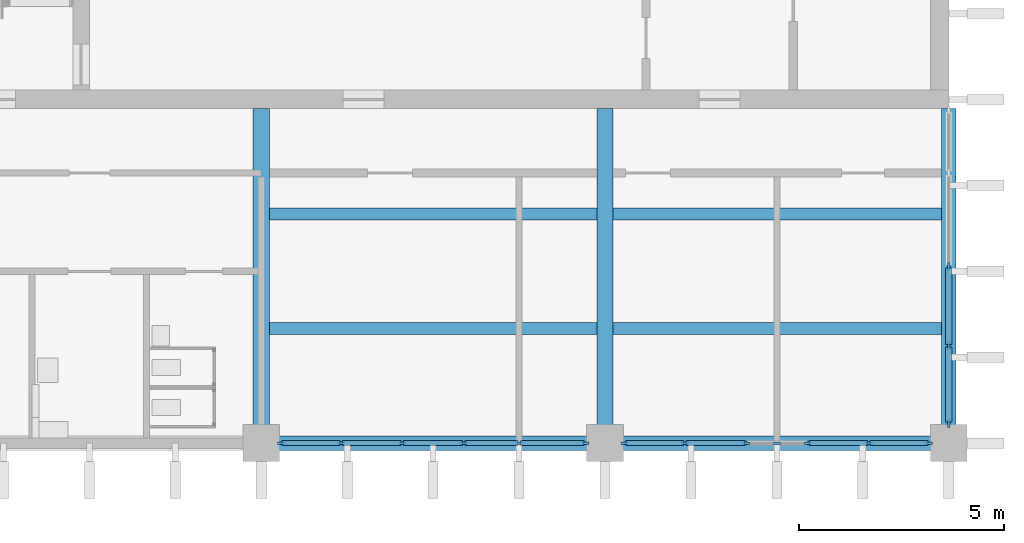
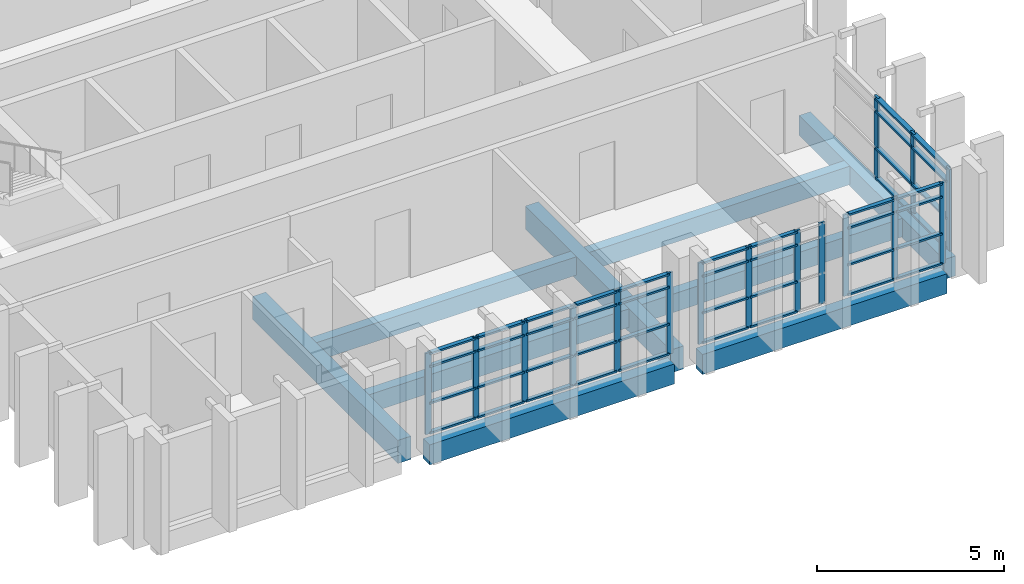
# One storey, part 2 of 11: 60 members, 9 beams, 3 elements without a shape of their own.
"""IFC4 building model written with IfcOpenShell, lengths in metres."""

from ifc_helpers import new_model, si_unit, direction, frame, origin, origin_2d, place, context, subcontext, project, spatial, rectangle, extrude, material, layer, layer_set, material_profile, profile_set, type_object, element, aggregate, save


model = new_model("IFC4")

# Units and contexts
model_context = context("Model", 3, precision=1e-05, world=origin(), true_north=direction((0.0, 1.0)))
body_context = subcontext(model_context, "Body", "Model", "MODEL_VIEW")
ifc_project = project(units=[si_unit("LENGTHUNIT", "METRE"), si_unit("AREAUNIT", "SQUARE_METRE"), si_unit("VOLUMEUNIT", "CUBIC_METRE"), si_unit("PLANEANGLEUNIT", "RADIAN"), si_unit("MASSUNIT", "GRAM", prefix="KILO")], contexts=[model_context])

# Site, building, storey
site_placement = place(None, origin())
site = spatial("IfcSite", under=ifc_project, at=site_placement, CompositionType="ELEMENT")
building_placement = place(site_placement, origin())
building = spatial("IfcBuilding", under=site, at=building_placement, Name="Rulbaag Community and Learning Centre", CompositionType="ELEMENT")
storey_placement = place(building_placement, frame((0.0, 0.0, 32.39990234375)))
storey = spatial("IfcBuildingStorey", under=building, at=storey_placement, Name="L08", CompositionType="ELEMENT", Elevation=32.39990234375)

# Beams
ifc_material_1 = material(Name="Concrete M40", Category="concrete")
ifc_material_profile_1 = material_profile(ifc_material_1, rectangle(XDim=0.35009765625, YDim=0.64990234375, at=origin_2d()), Name="RB350x650")
ifc_profile_set_1 = profile_set([ifc_material_profile_1], Name="Concrete M40")
beam_type_1 = type_object("IfcBeamType", Name="B14 Tower edge beam, upper zone 350x650 Concrete M40", PredefinedType="BEAM", material=ifc_profile_set_1)
for number, where, z_axis, x_axis, name in (
    (1, (151.6298828125, 84.0, -0.574951171875), (1.0, 0.0, 0.0), (0.0, 1.0, 0.0), "BM-L08-19K-20K"),
    (2, (160.030029296875, 84.0, -0.574951171875), (1.0, 0.0, 0.0), (0.0, 1.0, 0.0), "BM-L08-20K-21K"),
):
    element("IfcBeam", number, at=place(storey_placement, frame(where, z_axis=z_axis, x_axis=x_axis)), inside=storey, type_object=beam_type_1, Name=name, PredefinedType="BEAM", context=body_context, shape_type="SweptSolid", body=[
        extrude(rectangle(XDim=0.35009765625, YDim=0.64990234375, at=origin_2d()), origin(), (0.0, 0.0, 1.0), 7.5400390625),
    ])
beam_placement = place(storey_placement, frame((168.0, 84.429931640625, -0.574951171875), z_axis=(0.0, 1.0, 0.0), x_axis=(-1.0, 0.0, 0.0)))
element("IfcBeam", 3, at=beam_placement, inside=storey, type_object=beam_type_1, Name="BM-L08-21K-21L", PredefinedType="BEAM", context=body_context, shape_type="SweptSolid", body=[
    extrude(rectangle(XDim=0.35009765625, YDim=0.64990234375, at=origin_2d()), origin(), (0.0, 0.0, 1.0), 7.7451171875),
])
ifc_material_profile_2 = material_profile(ifc_material_1, rectangle(XDim=0.39990234375, YDim=0.75, at=origin_2d()), Name="RB400x750")
ifc_profile_set_2 = profile_set([ifc_material_profile_2], Name="Concrete M40")
beam_type_2 = type_object("IfcBeamType", Name="B15 Tower frame beam, middle zone 400x750 Concrete M40", PredefinedType="BEAM", material=ifc_profile_set_2)
for number, where, z_axis, x_axis, name in (
    (4, (151.199951171875, 84.429931640625, -0.625), (0.0, 1.0, 0.0), (-1.0, 0.0, 0.0), "BM-L08-19K-19L"),
    (5, (159.60009765625, 84.429931640625, -0.625), (0.0, 1.0, 0.0), (-1.0, 0.0, 0.0), "BM-L08-20K-20L"),
):
    element("IfcBeam", number, at=place(storey_placement, frame(where, z_axis=z_axis, x_axis=x_axis)), inside=storey, type_object=beam_type_2, Name=name, PredefinedType="BEAM", context=body_context, shape_type="SweptSolid", body=[
        extrude(rectangle(XDim=0.39990234375, YDim=0.75, at=origin_2d()), origin(), (0.0, 0.0, 1.0), 7.7451171875),
    ])
ifc_material_profile_3 = material_profile(ifc_material_1, rectangle(XDim=0.300048828125, YDim=0.60009765625, at=origin_2d()), Name="RB300x600")
ifc_profile_set_3 = profile_set([ifc_material_profile_3], Name="Concrete M40")
beam_type_3 = type_object("IfcBeamType", Name="B30 Secondary joist 300x600 Concrete M40", PredefinedType="BEAM", material=ifc_profile_set_3)
for number, where, z_axis, x_axis, name in (
    (6, (151.39990234375, 86.800048828125, -0.5498046875), (1.0, 0.0, 0.0), (0.0, 1.0, 0.0), "BM-JS-L08-19K-1"),
    (7, (151.39990234375, 89.60009765625, -0.5498046875), (1.0, 0.0, 0.0), (0.0, 1.0, 0.0), "BM-JS-L08-19K-2"),
):
    element("IfcBeam", number, at=place(storey_placement, frame(where, z_axis=z_axis, x_axis=x_axis)), inside=storey, type_object=beam_type_3, Name=name, PredefinedType="BEAM", context=body_context, shape_type="SweptSolid", body=[
        extrude(rectangle(XDim=0.300048828125, YDim=0.60009765625, at=origin_2d()), origin(), (0.0, 0.0, 1.0), 8.0),
    ])
for number, where, z_axis, x_axis, name in (
    (8, (159.800048828125, 86.800048828125, -0.5498046875), (1.0, 0.0, 0.0), (0.0, 1.0, 0.0), "BM-JS-L08-20K-1"),
    (9, (159.800048828125, 89.60009765625, -0.5498046875), (1.0, 0.0, 0.0), (0.0, 1.0, 0.0), "BM-JS-L08-20K-2"),
):
    element("IfcBeam", number, at=place(storey_placement, frame(where, z_axis=z_axis, x_axis=x_axis)), inside=storey, type_object=beam_type_3, Name=name, PredefinedType="BEAM", context=body_context, shape_type="SweptSolid", body=[
        extrude(rectangle(XDim=0.300048828125, YDim=0.60009765625, at=origin_2d()), origin(), (0.0, 0.0, 1.0), 8.02490234375),
    ])

# Curtain wall, members
ifc_material_2 = material(Name="Aluminium", Category="aluminium")
ifc_layer_1 = layer(ifc_material_2, 0.14990234375)
ifc_layer_set_1 = layer_set([ifc_layer_1], Name="CW-S")
curtain_wall_type_1 = type_object("IfcCurtainWallType", Name="CW-S", PredefinedType="USERDEFINED", material=ifc_layer_set_1)
curtain_wall_1_placement = place(storey_placement, origin())
curtain_wall_1 = element("IfcCurtainWall", 10, at=curtain_wall_1_placement, inside=storey, type_object=curtain_wall_type_1, Name="GS-L08-01", ObjectType="UNITISED CURTAIN WALL", PredefinedType="USERDEFINED")
ifc_material_3 = material(Name="Aluminium mullion", Category="aluminium")
ifc_material_profile_4 = material_profile(ifc_material_3, rectangle(XDim=0.06005859375, YDim=0.175048828125, at=origin_2d()), Name="AL 60x175")
ifc_profile_set_4 = profile_set([ifc_material_profile_4], Name="Aluminium mullion")
member_type_1 = type_object("IfcMemberType", Name="CW-S-MUL", PredefinedType="MULLION", material=ifc_profile_set_4)
member_1_placement = place(storey_placement, frame((151.679931640625, 84.0, 0.0), z_axis=(0.0, 0.0, 1.0), x_axis=(0.0, 1.0, 0.0)))
member_1 = element("IfcMember", 11, at=member_1_placement, type_object=member_type_1, Name="GS mullion 1", PredefinedType="MULLION", context=body_context, shape_type="SweptSolid", body=[
    extrude(rectangle(XDim=0.06005859375, YDim=0.175048828125, at=origin_2d()), origin(), (0.0, 0.0, 1.0), 2.650146484375),
])
member_2_placement = place(storey_placement, frame((153.14990234375, 84.0, 0.0), z_axis=(0.0, 0.0, 1.0), x_axis=(0.0, 1.0, 0.0)))
member_2 = element("IfcMember", 12, at=member_2_placement, type_object=member_type_1, Name="GS mullion 2", PredefinedType="MULLION", context=body_context, shape_type="SweptSolid", body=[
    extrude(rectangle(XDim=0.06005859375, YDim=0.175048828125, at=origin_2d()), origin(), (0.0, 0.0, 1.0), 2.650146484375),
])
member_3_placement = place(storey_placement, frame((154.64990234375, 84.0, 0.0), z_axis=(0.0, 0.0, 1.0), x_axis=(0.0, 1.0, 0.0)))
member_3 = element("IfcMember", 13, at=member_3_placement, type_object=member_type_1, Name="GS mullion 3", PredefinedType="MULLION", context=body_context, shape_type="SweptSolid", body=[
    extrude(rectangle(XDim=0.06005859375, YDim=0.175048828125, at=origin_2d()), origin(), (0.0, 0.0, 1.0), 2.650146484375),
])
member_4_placement = place(storey_placement, frame((156.14990234375, 84.0, 0.0), z_axis=(0.0, 0.0, 1.0), x_axis=(0.0, 1.0, 0.0)))
member_4 = element("IfcMember", 14, at=member_4_placement, type_object=member_type_1, Name="GS mullion 4", PredefinedType="MULLION", context=body_context, shape_type="SweptSolid", body=[
    extrude(rectangle(XDim=0.06005859375, YDim=0.175048828125, at=origin_2d()), origin(), (0.0, 0.0, 1.0), 2.650146484375),
])
member_5_placement = place(storey_placement, frame((157.5, 84.0, 0.0), z_axis=(0.0, 0.0, 1.0), x_axis=(0.0, 1.0, 0.0)))
member_5 = element("IfcMember", 15, at=member_5_placement, type_object=member_type_1, Name="GS mullion 5", PredefinedType="MULLION", context=body_context, shape_type="SweptSolid", body=[
    extrude(rectangle(XDim=0.06005859375, YDim=0.175048828125, at=origin_2d()), origin(), (0.0, 0.0, 1.0), 2.650146484375),
])
member_6_placement = place(storey_placement, frame((159.1201171875, 84.0, 0.0), z_axis=(0.0, 0.0, 1.0), x_axis=(0.0, 1.0, 0.0)))
member_6 = element("IfcMember", 16, at=member_6_placement, type_object=member_type_1, Name="GS mullion 6", PredefinedType="MULLION", context=body_context, shape_type="SweptSolid", body=[
    extrude(rectangle(XDim=0.06005859375, YDim=0.175048828125, at=origin_2d()), origin(), (0.0, 0.0, 1.0), 2.650146484375),
])

curtain_wall_2_placement = place(storey_placement, origin())
curtain_wall_2 = element("IfcCurtainWall", 17, at=curtain_wall_2_placement, inside=storey, type_object=curtain_wall_type_1, Name="GS-L08-02", ObjectType="UNITISED CURTAIN WALL", PredefinedType="USERDEFINED")
member_7_placement = place(storey_placement, frame((160.080078125, 84.0, 0.0), z_axis=(0.0, 0.0, 1.0), x_axis=(0.0, 1.0, 0.0)))
member_7 = element("IfcMember", 18, at=member_7_placement, type_object=member_type_1, Name="GS mullion 1", PredefinedType="MULLION", context=body_context, shape_type="SweptSolid", body=[
    extrude(rectangle(XDim=0.06005859375, YDim=0.175048828125, at=origin_2d()), origin(), (0.0, 0.0, 1.0), 2.650146484375),
])
member_8_placement = place(storey_placement, frame((161.550048828125, 84.0, 0.0), z_axis=(0.0, 0.0, 1.0), x_axis=(0.0, 1.0, 0.0)))
member_8 = element("IfcMember", 19, at=member_8_placement, type_object=member_type_1, Name="GS mullion 2", PredefinedType="MULLION", context=body_context, shape_type="SweptSolid", body=[
    extrude(rectangle(XDim=0.06005859375, YDim=0.175048828125, at=origin_2d()), origin(), (0.0, 0.0, 1.0), 2.650146484375),
])
member_9_placement = place(storey_placement, frame((163.050048828125, 84.0, 0.0), z_axis=(0.0, 0.0, 1.0), x_axis=(0.0, 1.0, 0.0)))
member_9 = element("IfcMember", 20, at=member_9_placement, type_object=member_type_1, Name="GS mullion 3", PredefinedType="MULLION", context=body_context, shape_type="SweptSolid", body=[
    extrude(rectangle(XDim=0.06005859375, YDim=0.175048828125, at=origin_2d()), origin(), (0.0, 0.0, 1.0), 2.650146484375),
])
member_10_placement = place(storey_placement, frame((163.800048828125, 84.0, 0.0), z_axis=(0.0, 0.0, 1.0), x_axis=(0.0, 1.0, 0.0)))
member_10 = element("IfcMember", 21, at=member_10_placement, type_object=member_type_1, Name="GS mullion 4", PredefinedType="MULLION", context=body_context, shape_type="SweptSolid", body=[
    extrude(rectangle(XDim=0.06005859375, YDim=0.175048828125, at=origin_2d()), origin(), (0.0, 0.0, 1.0), 2.650146484375),
])
member_11_placement = place(storey_placement, frame((164.550048828125, 84.0, 0.0), z_axis=(0.0, 0.0, 1.0), x_axis=(0.0, 1.0, 0.0)))
member_11 = element("IfcMember", 22, at=member_11_placement, type_object=member_type_1, Name="GS mullion 5", PredefinedType="MULLION", context=body_context, shape_type="SweptSolid", body=[
    extrude(rectangle(XDim=0.06005859375, YDim=0.175048828125, at=origin_2d()), origin(), (0.0, 0.0, 1.0), 2.650146484375),
])
member_12_placement = place(storey_placement, frame((166.050048828125, 84.0, 0.0), z_axis=(0.0, 0.0, 1.0), x_axis=(0.0, 1.0, 0.0)))
member_12 = element("IfcMember", 23, at=member_12_placement, type_object=member_type_1, Name="GS mullion 6", PredefinedType="MULLION", context=body_context, shape_type="SweptSolid", body=[
    extrude(rectangle(XDim=0.06005859375, YDim=0.175048828125, at=origin_2d()), origin(), (0.0, 0.0, 1.0), 2.650146484375),
])
member_13_placement = place(storey_placement, frame((167.52001953125, 84.0, 0.0), z_axis=(0.0, 0.0, 1.0), x_axis=(0.0, 1.0, 0.0)))
member_13 = element("IfcMember", 24, at=member_13_placement, type_object=member_type_1, Name="GS mullion 7", PredefinedType="MULLION", context=body_context, shape_type="SweptSolid", body=[
    extrude(rectangle(XDim=0.06005859375, YDim=0.175048828125, at=origin_2d()), origin(), (0.0, 0.0, 1.0), 2.650146484375),
])

# Member
ifc_material_4 = material(Name="Aluminium transom", Category="aluminium")
ifc_material_profile_5 = material_profile(ifc_material_4, rectangle(XDim=0.125, YDim=0.06005859375, at=origin_2d()), Name="AL 60x125 T")
ifc_profile_set_5 = profile_set([ifc_material_profile_5], Name="Aluminium transom")
member_type_2 = type_object("IfcMemberType", Name="CW-S-TRN", PredefinedType="USERDEFINED", material=ifc_profile_set_5)
member_14_placement = place(storey_placement, frame((151.7099609375, 84.0, 0.030029296875), z_axis=(1.0, 0.0, 0.0), x_axis=(0.0, 1.0, 0.0)))
member_14 = element("IfcMember", 25, at=member_14_placement, type_object=member_type_2, Name="GS transom 1.1", ObjectType="TRANSOM", PredefinedType="USERDEFINED", context=body_context, shape_type="SweptSolid", body=[
    extrude(rectangle(XDim=0.125, YDim=0.06005859375, at=origin_2d()), origin(), (0.0, 0.0, 1.0), 1.41015625),
])

member_15_placement = place(storey_placement, frame((151.7099609375, 84.0, 1.0), z_axis=(1.0, 0.0, 0.0), x_axis=(0.0, 1.0, 0.0)))
member_15 = element("IfcMember", 26, at=member_15_placement, type_object=member_type_2, Name="GS transom 1.2", ObjectType="TRANSOM", PredefinedType="USERDEFINED", context=body_context, shape_type="SweptSolid", body=[
    extrude(rectangle(XDim=0.125, YDim=0.06005859375, at=origin_2d()), origin(), (0.0, 0.0, 1.0), 1.41015625),
])

member_16_placement = place(storey_placement, frame((151.7099609375, 84.0, 2.2001953125), z_axis=(1.0, 0.0, 0.0), x_axis=(0.0, 1.0, 0.0)))
member_16 = element("IfcMember", 27, at=member_16_placement, type_object=member_type_2, Name="GS transom 1.3", ObjectType="TRANSOM", PredefinedType="USERDEFINED", context=body_context, shape_type="SweptSolid", body=[
    extrude(rectangle(XDim=0.125, YDim=0.06005859375, at=origin_2d()), origin(), (0.0, 0.0, 1.0), 1.41015625),
])

member_17_placement = place(storey_placement, frame((151.7099609375, 84.0, 2.6201171875), z_axis=(1.0, 0.0, 0.0), x_axis=(0.0, 1.0, 0.0)))
member_17 = element("IfcMember", 28, at=member_17_placement, type_object=member_type_2, Name="GS transom 1.4", ObjectType="TRANSOM", PredefinedType="USERDEFINED", context=body_context, shape_type="SweptSolid", body=[
    extrude(rectangle(XDim=0.125, YDim=0.06005859375, at=origin_2d()), origin(), (0.0, 0.0, 1.0), 1.41015625),
])

member_18_placement = place(storey_placement, frame((153.179931640625, 84.0, 0.030029296875), z_axis=(1.0, 0.0, 0.0), x_axis=(0.0, 1.0, 0.0)))
member_18 = element("IfcMember", 29, at=member_18_placement, type_object=member_type_2, Name="GS transom 2.1", ObjectType="TRANSOM", PredefinedType="USERDEFINED", context=body_context, shape_type="SweptSolid", body=[
    extrude(rectangle(XDim=0.125, YDim=0.06005859375, at=origin_2d()), origin(), (0.0, 0.0, 1.0), 1.440185546875),
])

member_19_placement = place(storey_placement, frame((153.179931640625, 84.0, 1.0), z_axis=(1.0, 0.0, 0.0), x_axis=(0.0, 1.0, 0.0)))
member_19 = element("IfcMember", 30, at=member_19_placement, type_object=member_type_2, Name="GS transom 2.2", ObjectType="TRANSOM", PredefinedType="USERDEFINED", context=body_context, shape_type="SweptSolid", body=[
    extrude(rectangle(XDim=0.125, YDim=0.06005859375, at=origin_2d()), origin(), (0.0, 0.0, 1.0), 1.440185546875),
])

member_20_placement = place(storey_placement, frame((153.179931640625, 84.0, 2.2001953125), z_axis=(1.0, 0.0, 0.0), x_axis=(0.0, 1.0, 0.0)))
member_20 = element("IfcMember", 31, at=member_20_placement, type_object=member_type_2, Name="GS transom 2.3", ObjectType="TRANSOM", PredefinedType="USERDEFINED", context=body_context, shape_type="SweptSolid", body=[
    extrude(rectangle(XDim=0.125, YDim=0.06005859375, at=origin_2d()), origin(), (0.0, 0.0, 1.0), 1.440185546875),
])

member_21_placement = place(storey_placement, frame((153.179931640625, 84.0, 2.6201171875), z_axis=(1.0, 0.0, 0.0), x_axis=(0.0, 1.0, 0.0)))
member_21 = element("IfcMember", 32, at=member_21_placement, type_object=member_type_2, Name="GS transom 2.4", ObjectType="TRANSOM", PredefinedType="USERDEFINED", context=body_context, shape_type="SweptSolid", body=[
    extrude(rectangle(XDim=0.125, YDim=0.06005859375, at=origin_2d()), origin(), (0.0, 0.0, 1.0), 1.440185546875),
])

member_22_placement = place(storey_placement, frame((154.679931640625, 84.0, 0.030029296875), z_axis=(1.0, 0.0, 0.0), x_axis=(0.0, 1.0, 0.0)))
member_22 = element("IfcMember", 33, at=member_22_placement, type_object=member_type_2, Name="GS transom 3.1", ObjectType="TRANSOM", PredefinedType="USERDEFINED", context=body_context, shape_type="SweptSolid", body=[
    extrude(rectangle(XDim=0.125, YDim=0.06005859375, at=origin_2d()), origin(), (0.0, 0.0, 1.0), 1.440185546875),
])

member_23_placement = place(storey_placement, frame((154.679931640625, 84.0, 1.0), z_axis=(1.0, 0.0, 0.0), x_axis=(0.0, 1.0, 0.0)))
member_23 = element("IfcMember", 34, at=member_23_placement, type_object=member_type_2, Name="GS transom 3.2", ObjectType="TRANSOM", PredefinedType="USERDEFINED", context=body_context, shape_type="SweptSolid", body=[
    extrude(rectangle(XDim=0.125, YDim=0.06005859375, at=origin_2d()), origin(), (0.0, 0.0, 1.0), 1.440185546875),
])

member_24_placement = place(storey_placement, frame((154.679931640625, 84.0, 2.2001953125), z_axis=(1.0, 0.0, 0.0), x_axis=(0.0, 1.0, 0.0)))
member_24 = element("IfcMember", 35, at=member_24_placement, type_object=member_type_2, Name="GS transom 3.3", ObjectType="TRANSOM", PredefinedType="USERDEFINED", context=body_context, shape_type="SweptSolid", body=[
    extrude(rectangle(XDim=0.125, YDim=0.06005859375, at=origin_2d()), origin(), (0.0, 0.0, 1.0), 1.440185546875),
])

member_25_placement = place(storey_placement, frame((154.679931640625, 84.0, 2.6201171875), z_axis=(1.0, 0.0, 0.0), x_axis=(0.0, 1.0, 0.0)))
member_25 = element("IfcMember", 36, at=member_25_placement, type_object=member_type_2, Name="GS transom 3.4", ObjectType="TRANSOM", PredefinedType="USERDEFINED", context=body_context, shape_type="SweptSolid", body=[
    extrude(rectangle(XDim=0.125, YDim=0.06005859375, at=origin_2d()), origin(), (0.0, 0.0, 1.0), 1.440185546875),
])

member_26_placement = place(storey_placement, frame((156.179931640625, 84.0, 0.030029296875), z_axis=(1.0, 0.0, 0.0), x_axis=(0.0, 1.0, 0.0)))
member_26 = element("IfcMember", 37, at=member_26_placement, type_object=member_type_2, Name="GS transom 4.1", ObjectType="TRANSOM", PredefinedType="USERDEFINED", context=body_context, shape_type="SweptSolid", body=[
    extrude(rectangle(XDim=0.125, YDim=0.06005859375, at=origin_2d()), origin(), (0.0, 0.0, 1.0), 1.2900390625),
])

member_27_placement = place(storey_placement, frame((156.179931640625, 84.0, 1.0), z_axis=(1.0, 0.0, 0.0), x_axis=(0.0, 1.0, 0.0)))
member_27 = element("IfcMember", 38, at=member_27_placement, type_object=member_type_2, Name="GS transom 4.2", ObjectType="TRANSOM", PredefinedType="USERDEFINED", context=body_context, shape_type="SweptSolid", body=[
    extrude(rectangle(XDim=0.125, YDim=0.06005859375, at=origin_2d()), origin(), (0.0, 0.0, 1.0), 1.2900390625),
])

member_28_placement = place(storey_placement, frame((156.179931640625, 84.0, 2.2001953125), z_axis=(1.0, 0.0, 0.0), x_axis=(0.0, 1.0, 0.0)))
member_28 = element("IfcMember", 39, at=member_28_placement, type_object=member_type_2, Name="GS transom 4.3", ObjectType="TRANSOM", PredefinedType="USERDEFINED", context=body_context, shape_type="SweptSolid", body=[
    extrude(rectangle(XDim=0.125, YDim=0.06005859375, at=origin_2d()), origin(), (0.0, 0.0, 1.0), 1.2900390625),
])

member_29_placement = place(storey_placement, frame((156.179931640625, 84.0, 2.6201171875), z_axis=(1.0, 0.0, 0.0), x_axis=(0.0, 1.0, 0.0)))
member_29 = element("IfcMember", 40, at=member_29_placement, type_object=member_type_2, Name="GS transom 4.4", ObjectType="TRANSOM", PredefinedType="USERDEFINED", context=body_context, shape_type="SweptSolid", body=[
    extrude(rectangle(XDim=0.125, YDim=0.06005859375, at=origin_2d()), origin(), (0.0, 0.0, 1.0), 1.2900390625),
])

member_30_placement = place(storey_placement, frame((157.530029296875, 84.0, 0.030029296875), z_axis=(1.0, 0.0, 0.0), x_axis=(0.0, 1.0, 0.0)))
member_30 = element("IfcMember", 41, at=member_30_placement, type_object=member_type_2, Name="GS transom 5.1", ObjectType="TRANSOM", PredefinedType="USERDEFINED", context=body_context, shape_type="SweptSolid", body=[
    extrude(rectangle(XDim=0.125, YDim=0.06005859375, at=origin_2d()), origin(), (0.0, 0.0, 1.0), 1.56005859375),
])

member_31_placement = place(storey_placement, frame((157.530029296875, 84.0, 1.0), z_axis=(1.0, 0.0, 0.0), x_axis=(0.0, 1.0, 0.0)))
member_31 = element("IfcMember", 42, at=member_31_placement, type_object=member_type_2, Name="GS transom 5.2", ObjectType="TRANSOM", PredefinedType="USERDEFINED", context=body_context, shape_type="SweptSolid", body=[
    extrude(rectangle(XDim=0.125, YDim=0.06005859375, at=origin_2d()), origin(), (0.0, 0.0, 1.0), 1.56005859375),
])

member_32_placement = place(storey_placement, frame((157.530029296875, 84.0, 2.2001953125), z_axis=(1.0, 0.0, 0.0), x_axis=(0.0, 1.0, 0.0)))
member_32 = element("IfcMember", 43, at=member_32_placement, type_object=member_type_2, Name="GS transom 5.3", ObjectType="TRANSOM", PredefinedType="USERDEFINED", context=body_context, shape_type="SweptSolid", body=[
    extrude(rectangle(XDim=0.125, YDim=0.06005859375, at=origin_2d()), origin(), (0.0, 0.0, 1.0), 1.56005859375),
])

member_33_placement = place(storey_placement, frame((157.530029296875, 84.0, 2.6201171875), z_axis=(1.0, 0.0, 0.0), x_axis=(0.0, 1.0, 0.0)))
member_33 = element("IfcMember", 44, at=member_33_placement, type_object=member_type_2, Name="GS transom 5.4", ObjectType="TRANSOM", PredefinedType="USERDEFINED", context=body_context, shape_type="SweptSolid", body=[
    extrude(rectangle(XDim=0.125, YDim=0.06005859375, at=origin_2d()), origin(), (0.0, 0.0, 1.0), 1.56005859375),
])

aggregate(curtain_wall_1, [member_1, member_2, member_3, member_4, member_5, member_6, member_14, member_15, member_16, member_17, member_18, member_19, member_20, member_21, member_22, member_23, member_24, member_25, member_26, member_27, member_28, member_29, member_30, member_31, member_32, member_33])

member_34_placement = place(storey_placement, frame((160.110107421875, 84.0, 0.030029296875), z_axis=(1.0, 0.0, 0.0), x_axis=(0.0, 1.0, 0.0)))
member_34 = element("IfcMember", 45, at=member_34_placement, type_object=member_type_2, Name="GS transom 1.1", ObjectType="TRANSOM", PredefinedType="USERDEFINED", context=body_context, shape_type="SweptSolid", body=[
    extrude(rectangle(XDim=0.125, YDim=0.06005859375, at=origin_2d()), origin(), (0.0, 0.0, 1.0), 1.409912109375),
])

member_35_placement = place(storey_placement, frame((160.110107421875, 84.0, 1.0), z_axis=(1.0, 0.0, 0.0), x_axis=(0.0, 1.0, 0.0)))
member_35 = element("IfcMember", 46, at=member_35_placement, type_object=member_type_2, Name="GS transom 1.2", ObjectType="TRANSOM", PredefinedType="USERDEFINED", context=body_context, shape_type="SweptSolid", body=[
    extrude(rectangle(XDim=0.125, YDim=0.06005859375, at=origin_2d()), origin(), (0.0, 0.0, 1.0), 1.409912109375),
])

member_36_placement = place(storey_placement, frame((160.110107421875, 84.0, 2.2001953125), z_axis=(1.0, 0.0, 0.0), x_axis=(0.0, 1.0, 0.0)))
member_36 = element("IfcMember", 47, at=member_36_placement, type_object=member_type_2, Name="GS transom 1.3", ObjectType="TRANSOM", PredefinedType="USERDEFINED", context=body_context, shape_type="SweptSolid", body=[
    extrude(rectangle(XDim=0.125, YDim=0.06005859375, at=origin_2d()), origin(), (0.0, 0.0, 1.0), 1.409912109375),
])

member_37_placement = place(storey_placement, frame((160.110107421875, 84.0, 2.6201171875), z_axis=(1.0, 0.0, 0.0), x_axis=(0.0, 1.0, 0.0)))
member_37 = element("IfcMember", 48, at=member_37_placement, type_object=member_type_2, Name="GS transom 1.4", ObjectType="TRANSOM", PredefinedType="USERDEFINED", context=body_context, shape_type="SweptSolid", body=[
    extrude(rectangle(XDim=0.125, YDim=0.06005859375, at=origin_2d()), origin(), (0.0, 0.0, 1.0), 1.409912109375),
])

member_38_placement = place(storey_placement, frame((161.580078125, 84.0, 0.030029296875), z_axis=(1.0, 0.0, 0.0), x_axis=(0.0, 1.0, 0.0)))
member_38 = element("IfcMember", 49, at=member_38_placement, type_object=member_type_2, Name="GS transom 2.1", ObjectType="TRANSOM", PredefinedType="USERDEFINED", context=body_context, shape_type="SweptSolid", body=[
    extrude(rectangle(XDim=0.125, YDim=0.06005859375, at=origin_2d()), origin(), (0.0, 0.0, 1.0), 1.43994140625),
])

member_39_placement = place(storey_placement, frame((161.580078125, 84.0, 1.0), z_axis=(1.0, 0.0, 0.0), x_axis=(0.0, 1.0, 0.0)))
member_39 = element("IfcMember", 50, at=member_39_placement, type_object=member_type_2, Name="GS transom 2.2", ObjectType="TRANSOM", PredefinedType="USERDEFINED", context=body_context, shape_type="SweptSolid", body=[
    extrude(rectangle(XDim=0.125, YDim=0.06005859375, at=origin_2d()), origin(), (0.0, 0.0, 1.0), 1.43994140625),
])

member_40_placement = place(storey_placement, frame((161.580078125, 84.0, 2.2001953125), z_axis=(1.0, 0.0, 0.0), x_axis=(0.0, 1.0, 0.0)))
member_40 = element("IfcMember", 51, at=member_40_placement, type_object=member_type_2, Name="GS transom 2.3", ObjectType="TRANSOM", PredefinedType="USERDEFINED", context=body_context, shape_type="SweptSolid", body=[
    extrude(rectangle(XDim=0.125, YDim=0.06005859375, at=origin_2d()), origin(), (0.0, 0.0, 1.0), 1.43994140625),
])

member_41_placement = place(storey_placement, frame((161.580078125, 84.0, 2.6201171875), z_axis=(1.0, 0.0, 0.0), x_axis=(0.0, 1.0, 0.0)))
member_41 = element("IfcMember", 52, at=member_41_placement, type_object=member_type_2, Name="GS transom 2.4", ObjectType="TRANSOM", PredefinedType="USERDEFINED", context=body_context, shape_type="SweptSolid", body=[
    extrude(rectangle(XDim=0.125, YDim=0.06005859375, at=origin_2d()), origin(), (0.0, 0.0, 1.0), 1.43994140625),
])

member_42_placement = place(storey_placement, frame((164.580078125, 84.0, 0.030029296875), z_axis=(1.0, 0.0, 0.0), x_axis=(0.0, 1.0, 0.0)))
member_42 = element("IfcMember", 53, at=member_42_placement, type_object=member_type_2, Name="GS transom 5.1", ObjectType="TRANSOM", PredefinedType="USERDEFINED", context=body_context, shape_type="SweptSolid", body=[
    extrude(rectangle(XDim=0.125, YDim=0.06005859375, at=origin_2d()), origin(), (0.0, 0.0, 1.0), 1.43994140625),
])

member_43_placement = place(storey_placement, frame((164.580078125, 84.0, 1.0), z_axis=(1.0, 0.0, 0.0), x_axis=(0.0, 1.0, 0.0)))
member_43 = element("IfcMember", 54, at=member_43_placement, type_object=member_type_2, Name="GS transom 5.2", ObjectType="TRANSOM", PredefinedType="USERDEFINED", context=body_context, shape_type="SweptSolid", body=[
    extrude(rectangle(XDim=0.125, YDim=0.06005859375, at=origin_2d()), origin(), (0.0, 0.0, 1.0), 1.43994140625),
])

member_44_placement = place(storey_placement, frame((164.580078125, 84.0, 2.2001953125), z_axis=(1.0, 0.0, 0.0), x_axis=(0.0, 1.0, 0.0)))
member_44 = element("IfcMember", 55, at=member_44_placement, type_object=member_type_2, Name="GS transom 5.3", ObjectType="TRANSOM", PredefinedType="USERDEFINED", context=body_context, shape_type="SweptSolid", body=[
    extrude(rectangle(XDim=0.125, YDim=0.06005859375, at=origin_2d()), origin(), (0.0, 0.0, 1.0), 1.43994140625),
])

member_45_placement = place(storey_placement, frame((164.580078125, 84.0, 2.6201171875), z_axis=(1.0, 0.0, 0.0), x_axis=(0.0, 1.0, 0.0)))
member_45 = element("IfcMember", 56, at=member_45_placement, type_object=member_type_2, Name="GS transom 5.4", ObjectType="TRANSOM", PredefinedType="USERDEFINED", context=body_context, shape_type="SweptSolid", body=[
    extrude(rectangle(XDim=0.125, YDim=0.06005859375, at=origin_2d()), origin(), (0.0, 0.0, 1.0), 1.43994140625),
])

member_46_placement = place(storey_placement, frame((166.080078125, 84.0, 0.030029296875), z_axis=(1.0, 0.0, 0.0), x_axis=(0.0, 1.0, 0.0)))
member_46 = element("IfcMember", 57, at=member_46_placement, type_object=member_type_2, Name="GS transom 6.1", ObjectType="TRANSOM", PredefinedType="USERDEFINED", context=body_context, shape_type="SweptSolid", body=[
    extrude(rectangle(XDim=0.125, YDim=0.06005859375, at=origin_2d()), origin(), (0.0, 0.0, 1.0), 1.409912109375),
])

member_47_placement = place(storey_placement, frame((166.080078125, 84.0, 1.0), z_axis=(1.0, 0.0, 0.0), x_axis=(0.0, 1.0, 0.0)))
member_47 = element("IfcMember", 58, at=member_47_placement, type_object=member_type_2, Name="GS transom 6.2", ObjectType="TRANSOM", PredefinedType="USERDEFINED", context=body_context, shape_type="SweptSolid", body=[
    extrude(rectangle(XDim=0.125, YDim=0.06005859375, at=origin_2d()), origin(), (0.0, 0.0, 1.0), 1.409912109375),
])

member_48_placement = place(storey_placement, frame((166.080078125, 84.0, 2.2001953125), z_axis=(1.0, 0.0, 0.0), x_axis=(0.0, 1.0, 0.0)))
member_48 = element("IfcMember", 59, at=member_48_placement, type_object=member_type_2, Name="GS transom 6.3", ObjectType="TRANSOM", PredefinedType="USERDEFINED", context=body_context, shape_type="SweptSolid", body=[
    extrude(rectangle(XDim=0.125, YDim=0.06005859375, at=origin_2d()), origin(), (0.0, 0.0, 1.0), 1.409912109375),
])

member_49_placement = place(storey_placement, frame((166.080078125, 84.0, 2.6201171875), z_axis=(1.0, 0.0, 0.0), x_axis=(0.0, 1.0, 0.0)))
member_49 = element("IfcMember", 60, at=member_49_placement, type_object=member_type_2, Name="GS transom 6.4", ObjectType="TRANSOM", PredefinedType="USERDEFINED", context=body_context, shape_type="SweptSolid", body=[
    extrude(rectangle(XDim=0.125, YDim=0.06005859375, at=origin_2d()), origin(), (0.0, 0.0, 1.0), 1.409912109375),
])

aggregate(curtain_wall_2, [member_7, member_8, member_9, member_10, member_11, member_12, member_13, member_34, member_35, member_36, member_37, member_38, member_39, member_40, member_41, member_42, member_43, member_44, member_45, member_46, member_47, member_48, member_49])

# Curtain wall, members
ifc_layer_2 = layer(ifc_material_2, 0.14990234375)
ifc_layer_set_2 = layer_set([ifc_layer_2], Name="CW-T")
curtain_wall_type_2 = type_object("IfcCurtainWallType", Name="CW-T", PredefinedType="USERDEFINED", material=ifc_layer_set_2)
curtain_wall_3_placement = place(storey_placement, origin())
curtain_wall_3 = element("IfcCurtainWall", 61, at=curtain_wall_3_placement, inside=storey, type_object=curtain_wall_type_2, Name="GT-L08-05", ObjectType="UNITISED CURTAIN WALL", PredefinedType="USERDEFINED")
ifc_material_profile_6 = material_profile(ifc_material_3, rectangle(XDim=0.06494140625, YDim=0.199951171875, at=origin_2d()), Name="AL 65x200")
ifc_profile_set_6 = profile_set([ifc_material_profile_6], Name="Aluminium mullion")
member_type_3 = type_object("IfcMemberType", Name="CW-T-MUL", PredefinedType="MULLION", material=ifc_profile_set_6)
member_50_placement = place(storey_placement, frame((168.0, 84.482421875, 0.0), z_axis=(0.0, 0.0, 1.0), x_axis=(-1.0, 0.0, 0.0)))
member_50 = element("IfcMember", 62, at=member_50_placement, type_object=member_type_3, Name="GT mullion 1", PredefinedType="MULLION", context=body_context, shape_type="SweptSolid", body=[
    extrude(rectangle(XDim=0.06494140625, YDim=0.199951171875, at=origin_2d()), origin(), (0.0, 0.0, 1.0), 2.650146484375),
])
member_51_placement = place(storey_placement, frame((168.0, 86.38134765625, 0.0), z_axis=(0.0, 0.0, 1.0), x_axis=(-1.0, 0.0, 0.0)))
member_51 = element("IfcMember", 63, at=member_51_placement, type_object=member_type_3, Name="GT mullion 2", PredefinedType="MULLION", context=body_context, shape_type="SweptSolid", body=[
    extrude(rectangle(XDim=0.06494140625, YDim=0.199951171875, at=origin_2d()), origin(), (0.0, 0.0, 1.0), 2.650146484375),
])
member_52_placement = place(storey_placement, frame((168.0, 88.3125, 0.0), z_axis=(0.0, 0.0, 1.0), x_axis=(-1.0, 0.0, 0.0)))
member_52 = element("IfcMember", 64, at=member_52_placement, type_object=member_type_3, Name="GT mullion 3", PredefinedType="MULLION", context=body_context, shape_type="SweptSolid", body=[
    extrude(rectangle(XDim=0.06494140625, YDim=0.199951171875, at=origin_2d()), origin(), (0.0, 0.0, 1.0), 2.650146484375),
])
ifc_material_profile_7 = material_profile(ifc_material_4, rectangle(XDim=0.14990234375, YDim=0.06494140625, at=origin_2d()), Name="AL 65x150 T")
ifc_profile_set_7 = profile_set([ifc_material_profile_7], Name="Aluminium transom")
member_type_4 = type_object("IfcMemberType", Name="CW-T-TRN", PredefinedType="USERDEFINED", material=ifc_profile_set_7)
member_53_placement = place(storey_placement, frame((168.0, 84.514892578125, 0.03271484375), z_axis=(0.0, 1.0, 0.0), x_axis=(-1.0, 0.0, 0.0)))
member_53 = element("IfcMember", 65, at=member_53_placement, type_object=member_type_4, Name="GT transom 1.1", ObjectType="TRANSOM", PredefinedType="USERDEFINED", context=body_context, shape_type="SweptSolid", body=[
    extrude(rectangle(XDim=0.14990234375, YDim=0.06494140625, at=origin_2d()), origin(), (0.0, 0.0, 1.0), 1.833740234375),
])
member_54_placement = place(storey_placement, frame((168.0, 84.514892578125, 1.0), z_axis=(0.0, 1.0, 0.0), x_axis=(-1.0, 0.0, 0.0)))
member_54 = element("IfcMember", 66, at=member_54_placement, type_object=member_type_4, Name="GT transom 1.2", ObjectType="TRANSOM", PredefinedType="USERDEFINED", context=body_context, shape_type="SweptSolid", body=[
    extrude(rectangle(XDim=0.14990234375, YDim=0.06494140625, at=origin_2d()), origin(), (0.0, 0.0, 1.0), 1.833740234375),
])
member_55_placement = place(storey_placement, frame((168.0, 84.514892578125, 2.2001953125), z_axis=(0.0, 1.0, 0.0), x_axis=(-1.0, 0.0, 0.0)))
member_55 = element("IfcMember", 67, at=member_55_placement, type_object=member_type_4, Name="GT transom 1.3", ObjectType="TRANSOM", PredefinedType="USERDEFINED", context=body_context, shape_type="SweptSolid", body=[
    extrude(rectangle(XDim=0.14990234375, YDim=0.06494140625, at=origin_2d()), origin(), (0.0, 0.0, 1.0), 1.833740234375),
])
member_56_placement = place(storey_placement, frame((168.0, 84.514892578125, 2.61767578125), z_axis=(0.0, 1.0, 0.0), x_axis=(-1.0, 0.0, 0.0)))
member_56 = element("IfcMember", 68, at=member_56_placement, type_object=member_type_4, Name="GT transom 1.4", ObjectType="TRANSOM", PredefinedType="USERDEFINED", context=body_context, shape_type="SweptSolid", body=[
    extrude(rectangle(XDim=0.14990234375, YDim=0.06494140625, at=origin_2d()), origin(), (0.0, 0.0, 1.0), 1.833740234375),
])
member_57_placement = place(storey_placement, frame((168.0, 86.413818359375, 0.03271484375), z_axis=(0.0, 1.0, 0.0), x_axis=(-1.0, 0.0, 0.0)))
member_57 = element("IfcMember", 69, at=member_57_placement, type_object=member_type_4, Name="GT transom 2.1", ObjectType="TRANSOM", PredefinedType="USERDEFINED", context=body_context, shape_type="SweptSolid", body=[
    extrude(rectangle(XDim=0.14990234375, YDim=0.06494140625, at=origin_2d()), origin(), (0.0, 0.0, 1.0), 1.8662109375),
])
member_58_placement = place(storey_placement, frame((168.0, 86.413818359375, 1.0), z_axis=(0.0, 1.0, 0.0), x_axis=(-1.0, 0.0, 0.0)))
member_58 = element("IfcMember", 70, at=member_58_placement, type_object=member_type_4, Name="GT transom 2.2", ObjectType="TRANSOM", PredefinedType="USERDEFINED", context=body_context, shape_type="SweptSolid", body=[
    extrude(rectangle(XDim=0.14990234375, YDim=0.06494140625, at=origin_2d()), origin(), (0.0, 0.0, 1.0), 1.8662109375),
])
member_59_placement = place(storey_placement, frame((168.0, 86.413818359375, 2.2001953125), z_axis=(0.0, 1.0, 0.0), x_axis=(-1.0, 0.0, 0.0)))
member_59 = element("IfcMember", 71, at=member_59_placement, type_object=member_type_4, Name="GT transom 2.3", ObjectType="TRANSOM", PredefinedType="USERDEFINED", context=body_context, shape_type="SweptSolid", body=[
    extrude(rectangle(XDim=0.14990234375, YDim=0.06494140625, at=origin_2d()), origin(), (0.0, 0.0, 1.0), 1.8662109375),
])
member_60_placement = place(storey_placement, frame((168.0, 86.413818359375, 2.61767578125), z_axis=(0.0, 1.0, 0.0), x_axis=(-1.0, 0.0, 0.0)))
member_60 = element("IfcMember", 72, at=member_60_placement, type_object=member_type_4, Name="GT transom 2.4", ObjectType="TRANSOM", PredefinedType="USERDEFINED", context=body_context, shape_type="SweptSolid", body=[
    extrude(rectangle(XDim=0.14990234375, YDim=0.06494140625, at=origin_2d()), origin(), (0.0, 0.0, 1.0), 1.8662109375),
])
aggregate(curtain_wall_3, [member_50, member_51, member_52, member_53, member_54, member_55, member_56, member_57, member_58, member_59, member_60])

save(model, "model.ifc")
